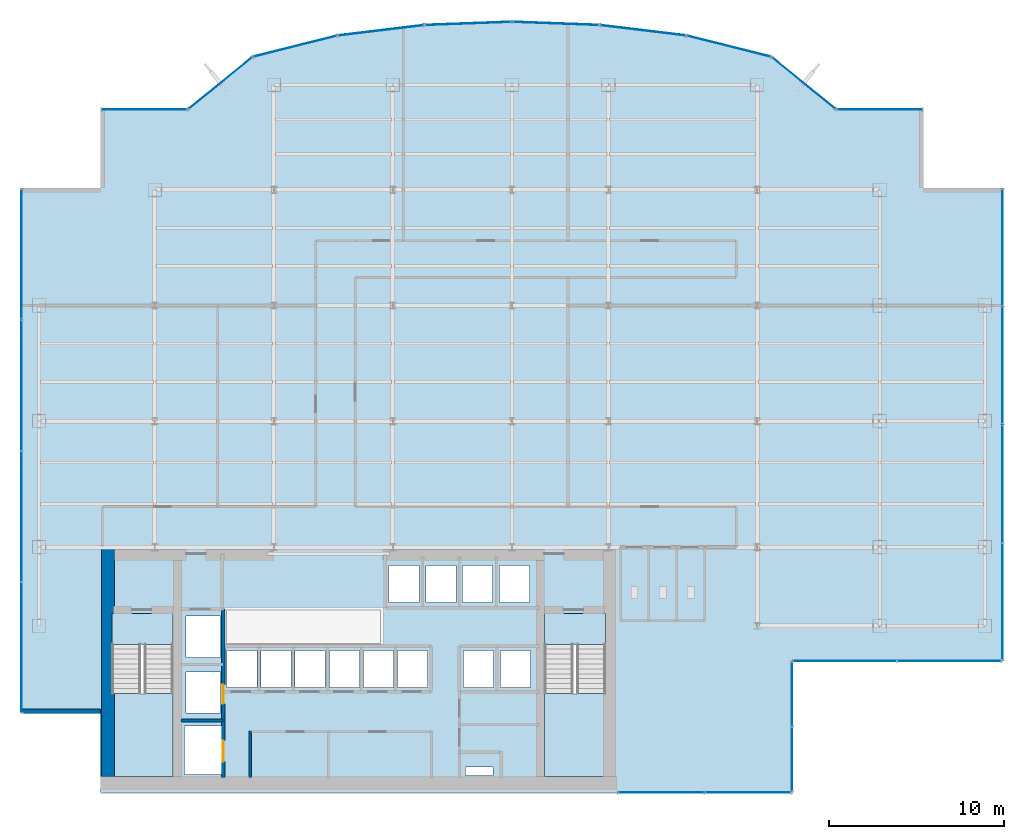
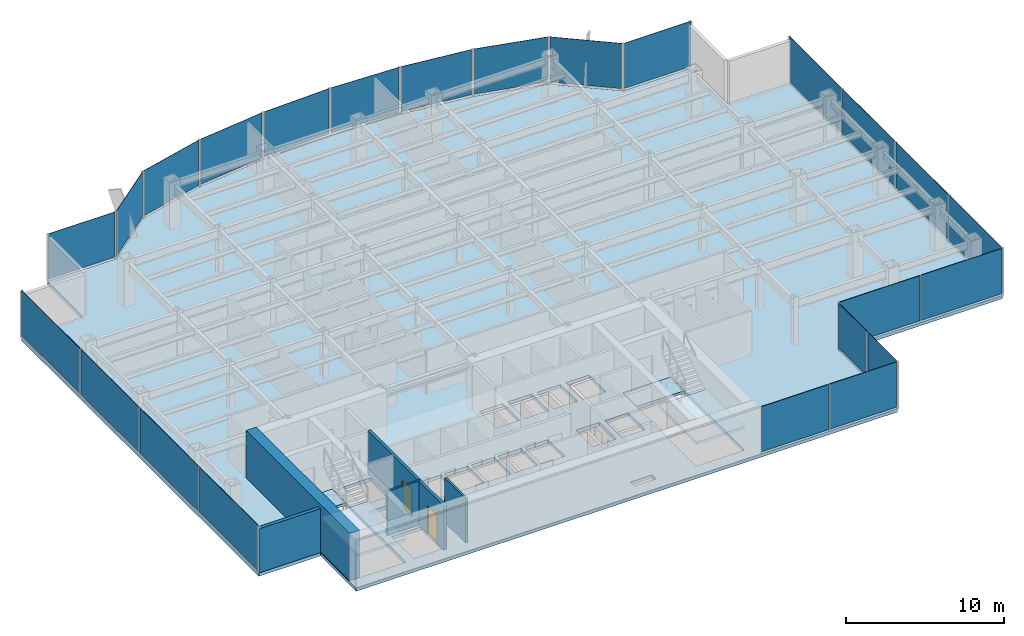
# One storey, part 20 of 26: 24 plates, 5 slabs, 5 walls, 2 doors, 2 openings, 17 elements without a shape of their own.
"""IFC4 building model written with IfcOpenShell, lengths in metres."""

from ifc_helpers import new_model, si_unit, derived_unit, direction, frame, frame_2d, origin, origin_2d, place, context, subcontext, project, spatial, polyline, rectangle, outline, extrude, source, transform, mapped, material, layer, layer_set, type_object, element, fill, aggregate, save


model = new_model("IFC4")

# Units and contexts
model_context = context("Model", 3, precision=1e-05, world=origin(), true_north=direction((0.0, 1.0)))
body_context = subcontext(model_context, "Body", "Model", "MODEL_VIEW")
ifc_project = project(units=[si_unit("LENGTHUNIT", "METRE"), si_unit("AREAUNIT", "SQUARE_METRE"), si_unit("VOLUMEUNIT", "CUBIC_METRE"), si_unit("PLANEANGLEUNIT", "RADIAN"), si_unit("MASSUNIT", "GRAM", prefix="KILO"), derived_unit("THERMALTRANSMITTANCEUNIT", [(si_unit("POWERUNIT", "WATT"), 1), (si_unit("LENGTHUNIT", "METRE"), -2), (si_unit("THERMODYNAMICTEMPERATUREUNIT", "KELVIN"), -1)])], contexts=[model_context])

# Site, building, storey
site_placement = place(None, origin())
site = spatial("IfcSite", under=ifc_project, at=site_placement, CompositionType="ELEMENT")
building_placement = place(site_placement, origin())
building = spatial("IfcBuilding", under=site, at=building_placement, Name="Skarnbrae Concourse Arena and Tower", CompositionType="ELEMENT")
storey_placement = place(building_placement, frame((0.0, 0.0, 110.550048828125)))
storey = spatial("IfcBuildingStorey", under=building, at=storey_placement, Name="L27", CompositionType="ELEMENT", Elevation=110.550048828125)

# Stair, slab
ifc_material_1 = material(Name="Concrete 40 MPa (C40/50)", Category="concrete")
stair_type = type_object("IfcStairType", Name="STAIR-DOGLEG-1650", PredefinedType="HALF_TURN_STAIR", material=ifc_material_1)
stair_1_placement = place(storey_placement, origin())
stair_1 = element("IfcStair", 1, at=stair_1_placement, inside=storey, type_object=stair_type, Name="L27 Protected Exit Stair ST-1", PredefinedType="HALF_TURN_STAIR")
ifc_layer_1 = layer(ifc_material_1, 0.199951171875)
ifc_layer_set_1 = layer_set([ifc_layer_1], Name="Concrete 40 MPa (C40/50)")
slab_type_1 = type_object("IfcSlabType", Name="SLAB-LANDING-200", PredefinedType="LANDING", material=ifc_layer_set_1)
slab_1_placement = place(storey_placement, frame((0.0, 0.0, 1.625)))
slab_1 = element("IfcSlab", 2, at=slab_1_placement, type_object=slab_type_1, Name="ST-1 landing 1", PredefinedType="LANDING", context=body_context, shape_type="SweptSolid", body=[
    extrude(outline(polyline([(5.14990234375, 5.64990234375), (5.14990234375, 0.89990234375), (8.64990234375, 0.89990234375), (8.64990234375, 5.64990234375), (5.14990234375, 5.64990234375)])), origin(), (0.0, 0.0, 1.0), 0.199951171875),
])
aggregate(stair_1, [slab_1])

stair_2_placement = place(storey_placement, origin())
stair_2 = element("IfcStair", 3, at=stair_2_placement, inside=storey, type_object=stair_type, Name="L27 Protected Exit Stair ST-2", PredefinedType="HALF_TURN_STAIR")
slab_2_placement = place(storey_placement, frame((0.0, 0.0, 1.625)))
slab_2 = element("IfcSlab", 4, at=slab_2_placement, type_object=slab_type_1, Name="ST-2 landing 1", PredefinedType="LANDING", context=body_context, shape_type="SweptSolid", body=[
    extrude(outline(polyline([(29.85009765625, 5.64990234375), (29.85009765625, 0.89990234375), (33.35009765625, 0.89990234375), (33.35009765625, 5.64990234375), (29.85009765625, 5.64990234375)])), origin(), (0.0, 0.0, 1.0), 0.199951171875),
])
aggregate(stair_2, [slab_2])

# Slabs
slab_3_placement = place(storey_placement, frame((0.0, 0.0, -0.199951171875)))
element("IfcSlab", 5, at=slab_3_placement, inside=storey, type_object=slab_type_1, Name="L27 Core stair ST1 floor landing", PredefinedType="LANDING", context=body_context, shape_type="SweptSolid", body=[
    extrude(outline(polyline([(5.14990234375, 10.199951171875), (5.14990234375, 8.449951171875), (8.64990234375, 8.449951171875), (8.64990234375, 10.199951171875), (5.14990234375, 10.199951171875)])), origin(), (0.0, 0.0, 1.0), 0.199951171875),
])
slab_4_placement = place(storey_placement, frame((0.0, 0.0, -0.199951171875)))
element("IfcSlab", 6, at=slab_4_placement, inside=storey, type_object=slab_type_1, Name="L27 Core stair ST2 floor landing", PredefinedType="LANDING", context=body_context, shape_type="SweptSolid", body=[
    extrude(outline(polyline([(29.85009765625, 10.199951171875), (29.85009765625, 8.449951171875), (33.35009765625, 8.449951171875), (33.35009765625, 10.199951171875), (29.85009765625, 10.199951171875)])), origin(), (0.0, 0.0, 1.0), 0.199951171875),
])
ifc_layer_2 = layer(ifc_material_1, 0.25)
ifc_layer_set_2 = layer_set([ifc_layer_2], Name="Concrete 40 MPa (C40/50)")
slab_type_2 = type_object("IfcSlabType", Name="SLAB-TOWER-250", PredefinedType="FLOOR", material=ifc_layer_set_2)
slab_5_placement = place(storey_placement, frame((0.0, 0.0, -0.25)))
element("IfcSlab", 7, at=slab_5_placement, inside=storey, type_object=slab_type_2, Name="L27 Structural floor slab", PredefinedType="FLOOR", context=body_context, shape_type="SweptSolid", body=[
    extrude(outline(polyline([(4.5, 0.0), (44.0, 0.0), (44.0, 7.5), (56.0, 7.5), (56.0, 34.5), (51.5, 34.5), (51.5, 39.0), (46.5, 39.0), (42.81103515625, 41.99609375), (37.964111328125, 43.212890625), (32.998779296875, 43.81396484375), (28.0, 44.0), (23.001220703125, 43.81396484375), (18.035888671875, 43.212890625), (13.18896484375, 41.99609375), (9.5, 39.0), (4.5, 39.0), (4.5, 34.5), (0.0, 34.5), (0.0, 4.5), (4.5, 4.5), (4.5, 0.0)]), holes=[polyline([(9.294921875, 3.780029296875), (11.455078125, 3.780029296875), (11.455078125, 1.02001953125), (9.294921875, 1.02001953125), (9.294921875, 3.780029296875)]), polyline([(8.64990234375, 10.199951171875), (8.64990234375, 0.89990234375), (5.14990234375, 0.89990234375), (5.14990234375, 10.199951171875), (8.64990234375, 10.199951171875)]), polyline([(9.39501953125, 6.8798828125), (11.35498046875, 6.8798828125), (11.35498046875, 4.52001953125), (9.39501953125, 4.52001953125), (9.39501953125, 6.8798828125)]), polyline([(11.719970703125, 8.10498046875), (13.429931640625, 8.10498046875), (13.429931640625, 5.9951171875), (11.719970703125, 5.9951171875), (11.719970703125, 8.10498046875)]), polyline([(13.669921875, 8.10498046875), (15.3798828125, 8.10498046875), (15.3798828125, 5.9951171875), (13.669921875, 5.9951171875), (13.669921875, 8.10498046875)]), polyline([(15.6201171875, 8.10498046875), (17.330078125, 8.10498046875), (17.330078125, 5.9951171875), (15.6201171875, 5.9951171875), (15.6201171875, 8.10498046875)]), polyline([(17.570068359375, 8.10498046875), (19.280029296875, 8.10498046875), (19.280029296875, 5.9951171875), (17.570068359375, 5.9951171875), (17.570068359375, 8.10498046875)]), polyline([(21.22998046875, 8.10498046875), (21.22998046875, 5.9951171875), (19.52001953125, 5.9951171875), (19.52001953125, 8.10498046875), (21.22998046875, 8.10498046875)]), polyline([(11.35498046875, 10.054931640625), (11.35498046875, 7.695068359375), (9.39501953125, 7.695068359375), (9.39501953125, 10.054931640625), (11.35498046875, 10.054931640625)]), polyline([(25.35009765625, 1.449951171875), (26.919921875, 1.449951171875), (26.919921875, 0.949951171875), (25.35009765625, 0.949951171875), (25.35009765625, 1.449951171875)]), polyline([(33.35009765625, 10.199951171875), (33.35009765625, 0.89990234375), (29.85009765625, 0.89990234375), (29.85009765625, 10.199951171875), (33.35009765625, 10.199951171875)]), polyline([(21.469970703125, 8.10498046875), (23.179931640625, 8.10498046875), (23.179931640625, 5.9951171875), (21.469970703125, 5.9951171875), (21.469970703125, 8.10498046875)]), polyline([(25.235107421875, 8.10498046875), (26.945068359375, 8.10498046875), (26.945068359375, 5.9951171875), (25.235107421875, 5.9951171875), (25.235107421875, 8.10498046875)]), polyline([(27.3349609375, 8.10498046875), (29.044921875, 8.10498046875), (29.044921875, 5.9951171875), (27.3349609375, 5.9951171875), (27.3349609375, 8.10498046875)]), polyline([(20.985107421875, 12.955078125), (22.695068359375, 12.955078125), (22.695068359375, 10.844970703125), (20.985107421875, 10.844970703125), (20.985107421875, 12.955078125)]), polyline([(23.0849609375, 12.955078125), (24.794921875, 12.955078125), (24.794921875, 10.844970703125), (23.0849609375, 10.844970703125), (23.0849609375, 12.955078125)]), polyline([(26.89501953125, 12.955078125), (26.89501953125, 10.844970703125), (25.18505859375, 10.844970703125), (25.18505859375, 12.955078125), (26.89501953125, 12.955078125)]), polyline([(28.9951171875, 12.955078125), (28.9951171875, 10.844970703125), (27.284912109375, 10.844970703125), (27.284912109375, 12.955078125), (28.9951171875, 12.955078125)])]), origin(), (0.0, 0.0, 1.0), 0.25),
])

# Curtain wall, plates
ifc_material_2 = material(Name="Bronze anodised aluminium 6063-T6", Category="aluminium")
curtain_wall_type_1 = type_object("IfcCurtainWallType", Name="CW-SYS-04-MIDZONE", PredefinedType="USERDEFINED", material=ifc_material_2)
curtain_wall_1_placement = place(storey_placement, origin())
curtain_wall_1 = element("IfcCurtainWall", 8, at=curtain_wall_1_placement, inside=storey, type_object=curtain_wall_type_1, Name="L27 Unitised curtain wall CW-L27-SE-SPINE", ObjectType="UNITISED CURTAIN WALL", PredefinedType="USERDEFINED")
ifc_material_3 = material(Name="Low-E triple insulating glass", Category="glass")
ifc_layer_3 = layer(ifc_material_3, 0.031982421875)
ifc_layer_set_3 = layer_set([ifc_layer_3], Name="Low-E triple insulating glass")
plate_type_1 = type_object("IfcPlateType", Name="CWP-CW-04", PredefinedType="CURTAIN_PANEL", material=ifc_layer_set_3)
shared_shape_1 = source(origin(), body_context, "Body", "SweptSolid", [
    extrude(rectangle(XDim=4.887451171875, YDim=0.031982421875, at=origin_2d()), origin(), (0.0, 0.0, 1.0), 3.489990234375),
])
plate_1_placement = place(storey_placement, frame((36.518798828125, 0.0, 0.16015625), z_axis=(0.0, 0.0, 1.0), x_axis=(1.0, 0.0, 0.0)))
plate_1 = element("IfcPlate", 9, at=plate_1_placement, type_object=plate_type_1, Name="CW-L27-SE-SPINE Low-E Glazing Panel 1", PredefinedType="CURTAIN_PANEL", context=body_context, shape_type="MappedRepresentation", body=[
    mapped(shared_shape_1, transform((0.0, 0.0, 0.0))),
])
plate_2_placement = place(storey_placement, frame((41.481201171875, 0.0, 0.16015625), z_axis=(0.0, 0.0, 1.0), x_axis=(1.0, 0.0, 0.0)))
plate_2 = element("IfcPlate", 10, at=plate_2_placement, type_object=plate_type_1, Name="CW-L27-SE-SPINE Low-E Glazing Panel 2", PredefinedType="CURTAIN_PANEL", context=body_context, shape_type="MappedRepresentation", body=[
    mapped(shared_shape_1, transform((0.0, 0.0, 0.0))),
])
aggregate(curtain_wall_1, [plate_1, plate_2])

curtain_wall_2_placement = place(storey_placement, origin())
curtain_wall_2 = element("IfcCurtainWall", 11, at=curtain_wall_2_placement, inside=storey, type_object=curtain_wall_type_1, Name="L27 Unitised curtain wall CW-L27-E02", ObjectType="UNITISED CURTAIN WALL", PredefinedType="USERDEFINED")
shared_shape_2 = source(origin(), body_context, "Body", "SweptSolid", [
    extrude(rectangle(XDim=3.637451171875, YDim=0.031982421875, at=origin_2d()), origin(), (0.0, 0.0, 1.0), 3.489990234375),
])
plate_3_placement = place(storey_placement, frame((44.0, 1.893798828125, 0.16015625), z_axis=(0.0, 0.0, 1.0), x_axis=(0.0, 1.0, 0.0)))
plate_3 = element("IfcPlate", 12, at=plate_3_placement, type_object=plate_type_1, Name="CW-L27-E02 Low-E Glazing Panel 1", PredefinedType="CURTAIN_PANEL", context=body_context, shape_type="MappedRepresentation", body=[
    mapped(shared_shape_2, transform((0.0, 0.0, 0.0))),
])
plate_4_placement = place(storey_placement, frame((44.0, 5.606201171875, 0.16015625), z_axis=(0.0, 0.0, 1.0), x_axis=(0.0, 1.0, 0.0)))
plate_4 = element("IfcPlate", 13, at=plate_4_placement, type_object=plate_type_1, Name="CW-L27-E02 Low-E Glazing Panel 2", PredefinedType="CURTAIN_PANEL", context=body_context, shape_type="MappedRepresentation", body=[
    mapped(shared_shape_2, transform((0.0, 0.0, 0.0))),
])
aggregate(curtain_wall_2, [plate_3, plate_4])

curtain_wall_3_placement = place(storey_placement, origin())
curtain_wall_3 = element("IfcCurtainWall", 14, at=curtain_wall_3_placement, inside=storey, type_object=curtain_wall_type_1, Name="L27 Unitised curtain wall CW-L27-E03", ObjectType="UNITISED CURTAIN WALL", PredefinedType="USERDEFINED")
shared_shape_3 = source(origin(), body_context, "Body", "SweptSolid", [
    extrude(rectangle(XDim=5.887451171875, YDim=0.031982421875, at=origin_2d()), origin(), (0.0, 0.0, 1.0), 3.489990234375),
])
plate_5_placement = place(storey_placement, frame((47.018798828125, 7.5, 0.16015625), z_axis=(0.0, 0.0, 1.0), x_axis=(1.0, 0.0, 0.0)))
plate_5 = element("IfcPlate", 15, at=plate_5_placement, type_object=plate_type_1, Name="CW-L27-E03 Low-E Glazing Panel 1", PredefinedType="CURTAIN_PANEL", context=body_context, shape_type="MappedRepresentation", body=[
    mapped(shared_shape_3, transform((0.0, 0.0, 0.0))),
])
plate_6_placement = place(storey_placement, frame((52.981201171875, 7.5, 0.16015625), z_axis=(0.0, 0.0, 1.0), x_axis=(1.0, 0.0, 0.0)))
plate_6 = element("IfcPlate", 16, at=plate_6_placement, type_object=plate_type_1, Name="CW-L27-E03 Low-E Glazing Panel 2", PredefinedType="CURTAIN_PANEL", context=body_context, shape_type="MappedRepresentation", body=[
    mapped(shared_shape_3, transform((0.0, 0.0, 0.0))),
])
aggregate(curtain_wall_3, [plate_5, plate_6])

# Curtain wall, plate
curtain_wall_4_placement = place(storey_placement, origin())
curtain_wall_4 = element("IfcCurtainWall", 17, at=curtain_wall_4_placement, inside=storey, type_object=curtain_wall_type_1, Name="L27 Unitised curtain wall CW-L27-E07", ObjectType="UNITISED CURTAIN WALL", PredefinedType="USERDEFINED")
shared_shape_4 = source(origin(), body_context, "Body", "SweptSolid", [
    extrude(rectangle(XDim=4.85009765625, YDim=0.031982421875, at=origin_2d()), origin(), (0.0, 0.0, 1.0), 3.489990234375),
])
plate_7_placement = place(storey_placement, frame((49.0, 39.0, 0.16015625), z_axis=(0.0, 0.0, 1.0), x_axis=(-1.0, 0.0, 0.0)))
plate_7 = element("IfcPlate", 18, at=plate_7_placement, type_object=plate_type_1, Name="CW-L27-E07 Low-E Glazing Panel 1", PredefinedType="CURTAIN_PANEL", context=body_context, shape_type="MappedRepresentation", body=[
    mapped(shared_shape_4, transform((0.0, 0.0, 0.0))),
])
aggregate(curtain_wall_4, [plate_7])

curtain_wall_5_placement = place(storey_placement, origin())
curtain_wall_5 = element("IfcCurtainWall", 19, at=curtain_wall_5_placement, inside=storey, type_object=curtain_wall_type_1, Name="L27 Unitised curtain wall CW-L27-E16", ObjectType="UNITISED CURTAIN WALL", PredefinedType="USERDEFINED")
plate_8_placement = place(storey_placement, frame((7.0, 39.0, 0.16015625), z_axis=(0.0, 0.0, 1.0), x_axis=(-1.0, 0.0, 0.0)))
plate_8 = element("IfcPlate", 20, at=plate_8_placement, type_object=plate_type_1, Name="CW-L27-E16 Low-E Glazing Panel 1", PredefinedType="CURTAIN_PANEL", context=body_context, shape_type="MappedRepresentation", body=[
    mapped(shared_shape_4, transform((0.0, 0.0, 0.0))),
])
aggregate(curtain_wall_5, [plate_8])

curtain_wall_6_placement = place(storey_placement, origin())
curtain_wall_6 = element("IfcCurtainWall", 21, at=curtain_wall_6_placement, inside=storey, type_object=curtain_wall_type_1, Name="L27 Unitised curtain wall CW-L27-E08", ObjectType="UNITISED CURTAIN WALL", PredefinedType="USERDEFINED")
shared_shape_5 = source(origin(), body_context, "Body", "SweptSolid", [
    extrude(rectangle(XDim=4.602294921875, YDim=0.031982421875, at=origin_2d()), origin(), (0.0, 0.0, 1.0), 3.489990234375),
])
plate_9_placement = place(storey_placement, frame((44.655517578125, 40.498046875, 0.16015625), z_axis=(0.0, 0.0, 1.0), x_axis=(-0.776241200471, 0.630436038542, 0.0)))
plate_9 = element("IfcPlate", 22, at=plate_9_placement, type_object=plate_type_1, Name="CW-L27-E08 Low-E Glazing Panel 1", PredefinedType="CURTAIN_PANEL", context=body_context, shape_type="MappedRepresentation", body=[
    mapped(shared_shape_5, transform((0.0, 0.0, 0.0))),
])
aggregate(curtain_wall_6, [plate_9])

curtain_wall_7_placement = place(storey_placement, origin())
curtain_wall_7 = element("IfcCurtainWall", 23, at=curtain_wall_7_placement, inside=storey, type_object=curtain_wall_type_1, Name="L27 Unitised curtain wall CW-L27-E15", ObjectType="UNITISED CURTAIN WALL", PredefinedType="USERDEFINED")
plate_10_placement = place(storey_placement, frame((11.344482421875, 40.498046875, 0.16015625), z_axis=(0.0, 0.0, 1.0), x_axis=(-0.776241200471, -0.630436038542, 0.0)))
plate_10 = element("IfcPlate", 24, at=plate_10_placement, type_object=plate_type_1, Name="CW-L27-E15 Low-E Glazing Panel 1", PredefinedType="CURTAIN_PANEL", context=body_context, shape_type="MappedRepresentation", body=[
    mapped(shared_shape_5, transform((0.0, 0.0, 0.0))),
])
aggregate(curtain_wall_7, [plate_10])

# Curtain wall, plates
curtain_wall_8_placement = place(storey_placement, origin())
curtain_wall_8 = element("IfcCurtainWall", 25, at=curtain_wall_8_placement, inside=storey, type_object=curtain_wall_type_1, Name="L27 Unitised curtain wall CW-L27-E19", ObjectType="UNITISED CURTAIN WALL", PredefinedType="USERDEFINED")
shared_shape_6 = source(origin(), body_context, "Body", "SweptSolid", [
    extrude(rectangle(XDim=7.387451171875, YDim=0.031982421875, at=origin_2d()), origin(), (0.0, 0.0, 1.0), 3.489990234375),
])
plate_11_placement = place(storey_placement, frame((0.0, 30.731201171875, 0.16015625), z_axis=(0.0, 0.0, 1.0), x_axis=(0.0, -1.0, 0.0)))
plate_11 = element("IfcPlate", 26, at=plate_11_placement, type_object=plate_type_1, Name="CW-L27-E19 Low-E Glazing Panel 1", PredefinedType="CURTAIN_PANEL", context=body_context, shape_type="MappedRepresentation", body=[
    mapped(shared_shape_6, transform((0.0, 0.0, 0.0))),
])
plate_12_placement = place(storey_placement, frame((0.0, 8.268798828125, 0.16015625), z_axis=(0.0, 0.0, 1.0), x_axis=(0.0, -1.0, 0.0)))
plate_12 = element("IfcPlate", 27, at=plate_12_placement, type_object=plate_type_1, Name="CW-L27-E19 Low-E Glazing Panel 4", PredefinedType="CURTAIN_PANEL", context=body_context, shape_type="MappedRepresentation", body=[
    mapped(shared_shape_6, transform((0.0, 0.0, 0.0))),
])
shared_shape_7 = source(origin(), body_context, "Body", "SweptSolid", [
    extrude(rectangle(XDim=7.425048828125, YDim=0.031982421875, at=origin_2d()), origin(), (0.0, 0.0, 1.0), 3.489990234375),
])
plate_13_placement = place(storey_placement, frame((0.0, 23.25, 0.16015625), z_axis=(0.0, 0.0, 1.0), x_axis=(0.0, -1.0, 0.0)))
plate_13 = element("IfcPlate", 28, at=plate_13_placement, type_object=plate_type_1, Name="CW-L27-E19 Low-E Glazing Panel 2", PredefinedType="CURTAIN_PANEL", context=body_context, shape_type="MappedRepresentation", body=[
    mapped(shared_shape_7, transform((0.0, 0.0, 0.0))),
])
plate_14_placement = place(storey_placement, frame((0.0, 15.75, 0.16015625), z_axis=(0.0, 0.0, 1.0), x_axis=(0.0, -1.0, 0.0)))
plate_14 = element("IfcPlate", 29, at=plate_14_placement, type_object=plate_type_1, Name="CW-L27-E19 Low-E Glazing Panel 3", PredefinedType="CURTAIN_PANEL", context=body_context, shape_type="MappedRepresentation", body=[
    mapped(shared_shape_7, transform((0.0, 0.0, 0.0))),
])
aggregate(curtain_wall_8, [plate_11, plate_13, plate_14, plate_12])

curtain_wall_9_placement = place(storey_placement, origin())
curtain_wall_9 = element("IfcCurtainWall", 30, at=curtain_wall_9_placement, inside=storey, type_object=curtain_wall_type_1, Name="L27 Unitised curtain wall CW-L27-E04", ObjectType="UNITISED CURTAIN WALL", PredefinedType="USERDEFINED")
shared_shape_8 = source(origin(), body_context, "Body", "SweptSolid", [
    extrude(rectangle(XDim=6.637451171875, YDim=0.031982421875, at=origin_2d()), origin(), (0.0, 0.0, 1.0), 3.489990234375),
])
plate_15_placement = place(storey_placement, frame((56.0, 10.893798828125, 0.16015625), z_axis=(0.0, 0.0, 1.0), x_axis=(0.0, 1.0, 0.0)))
plate_15 = element("IfcPlate", 31, at=plate_15_placement, type_object=plate_type_1, Name="CW-L27-E04 Low-E Glazing Panel 1", PredefinedType="CURTAIN_PANEL", context=body_context, shape_type="MappedRepresentation", body=[
    mapped(shared_shape_8, transform((0.0, 0.0, 0.0))),
])
plate_16_placement = place(storey_placement, frame((56.0, 31.106201171875, 0.16015625), z_axis=(0.0, 0.0, 1.0), x_axis=(0.0, 1.0, 0.0)))
plate_16 = element("IfcPlate", 32, at=plate_16_placement, type_object=plate_type_1, Name="CW-L27-E04 Low-E Glazing Panel 4", PredefinedType="CURTAIN_PANEL", context=body_context, shape_type="MappedRepresentation", body=[
    mapped(shared_shape_8, transform((0.0, 0.0, 0.0))),
])
shared_shape_9 = source(origin(), body_context, "Body", "SweptSolid", [
    extrude(rectangle(XDim=6.675048828125, YDim=0.031982421875, at=origin_2d()), origin(), (0.0, 0.0, 1.0), 3.489990234375),
])
plate_17_placement = place(storey_placement, frame((56.0, 17.625, 0.16015625), z_axis=(0.0, 0.0, 1.0), x_axis=(0.0, 1.0, 0.0)))
plate_17 = element("IfcPlate", 33, at=plate_17_placement, type_object=plate_type_1, Name="CW-L27-E04 Low-E Glazing Panel 2", PredefinedType="CURTAIN_PANEL", context=body_context, shape_type="MappedRepresentation", body=[
    mapped(shared_shape_9, transform((0.0, 0.0, 0.0))),
])
plate_18_placement = place(storey_placement, frame((56.0, 24.375, 0.16015625), z_axis=(0.0, 0.0, 1.0), x_axis=(0.0, 1.0, 0.0)))
plate_18 = element("IfcPlate", 34, at=plate_18_placement, type_object=plate_type_1, Name="CW-L27-E04 Low-E Glazing Panel 3", PredefinedType="CURTAIN_PANEL", context=body_context, shape_type="MappedRepresentation", body=[
    mapped(shared_shape_9, transform((0.0, 0.0, 0.0))),
])
aggregate(curtain_wall_9, [plate_15, plate_17, plate_18, plate_16])

# Curtain wall, plate
curtain_wall_type_2 = type_object("IfcCurtainWallType", Name="CW-SYS-03-PORTAL", PredefinedType="USERDEFINED", material=ifc_material_2)
curtain_wall_10_placement = place(storey_placement, origin())
curtain_wall_10 = element("IfcCurtainWall", 35, at=curtain_wall_10_placement, inside=storey, type_object=curtain_wall_type_2, Name="L27 Unitised curtain wall CW-L27-E09", ObjectType="UNITISED CURTAIN WALL", PredefinedType="USERDEFINED")
ifc_layer_4 = layer(ifc_material_3, 0.033935546875)
ifc_layer_set_4 = layer_set([ifc_layer_4], Name="Low-E triple insulating glass")
plate_type_2 = type_object("IfcPlateType", Name="CWP-CW-03", PredefinedType="CURTAIN_PANEL", material=ifc_layer_set_4)
shared_shape_10 = source(origin(), body_context, "Body", "SweptSolid", [
    extrude(rectangle(XDim=4.83740234375, YDim=0.033935546875, at=origin_2d()), origin(), (0.0, 0.0, 1.0), 3.47998046875),
])
plate_19_placement = place(storey_placement, frame((40.3876953125, 42.6044921875, 0.169921875), z_axis=(0.0, 0.0, 1.0), x_axis=(-0.969903046166, 0.243491439351, 0.0)))
plate_19 = element("IfcPlate", 36, at=plate_19_placement, type_object=plate_type_2, Name="CW-L27-E09 Low-E Glazing Panel 1", PredefinedType="CURTAIN_PANEL", context=body_context, shape_type="MappedRepresentation", body=[
    mapped(shared_shape_10, transform((0.0, 0.0, 0.0))),
])
aggregate(curtain_wall_10, [plate_19])

curtain_wall_11_placement = place(storey_placement, origin())
curtain_wall_11 = element("IfcCurtainWall", 37, at=curtain_wall_11_placement, inside=storey, type_object=curtain_wall_type_2, Name="L27 Unitised curtain wall CW-L27-E14", ObjectType="UNITISED CURTAIN WALL", PredefinedType="USERDEFINED")
plate_20_placement = place(storey_placement, frame((15.6123046875, 42.6044921875, 0.169921875), z_axis=(0.0, 0.0, 1.0), x_axis=(-0.969903046166, -0.243491439351, 0.0)))
plate_20 = element("IfcPlate", 38, at=plate_20_placement, type_object=plate_type_2, Name="CW-L27-E14 Low-E Glazing Panel 1", PredefinedType="CURTAIN_PANEL", context=body_context, shape_type="MappedRepresentation", body=[
    mapped(shared_shape_10, transform((0.0, 0.0, 0.0))),
])
aggregate(curtain_wall_11, [plate_20])

curtain_wall_12_placement = place(storey_placement, origin())
curtain_wall_12 = element("IfcCurtainWall", 39, at=curtain_wall_12_placement, inside=storey, type_object=curtain_wall_type_2, Name="L27 Unitised curtain wall CW-L27-E10", ObjectType="UNITISED CURTAIN WALL", PredefinedType="USERDEFINED")
shared_shape_11 = source(origin(), body_context, "Body", "SweptSolid", [
    extrude(rectangle(XDim=4.841552734375, YDim=0.033935546875, at=origin_2d()), origin(), (0.0, 0.0, 1.0), 3.47998046875),
])
plate_21_placement = place(storey_placement, frame((35.4814453125, 43.513427734375, 0.169921875), z_axis=(0.0, 0.0, 1.0), x_axis=(-0.992749371969, 0.120202680731, 0.0)))
plate_21 = element("IfcPlate", 40, at=plate_21_placement, type_object=plate_type_2, Name="CW-L27-E10 Low-E Glazing Panel 1", PredefinedType="CURTAIN_PANEL", context=body_context, shape_type="MappedRepresentation", body=[
    mapped(shared_shape_11, transform((0.0, 0.0, 0.0))),
])
aggregate(curtain_wall_12, [plate_21])

curtain_wall_13_placement = place(storey_placement, origin())
curtain_wall_13 = element("IfcCurtainWall", 41, at=curtain_wall_13_placement, inside=storey, type_object=curtain_wall_type_2, Name="L27 Unitised curtain wall CW-L27-E13", ObjectType="UNITISED CURTAIN WALL", PredefinedType="USERDEFINED")
plate_22_placement = place(storey_placement, frame((20.5185546875, 43.513427734375, 0.169921875), z_axis=(0.0, 0.0, 1.0), x_axis=(-0.992749371969, -0.120202680731, 0.0)))
plate_22 = element("IfcPlate", 42, at=plate_22_placement, type_object=plate_type_2, Name="CW-L27-E13 Low-E Glazing Panel 1", PredefinedType="CURTAIN_PANEL", context=body_context, shape_type="MappedRepresentation", body=[
    mapped(shared_shape_11, transform((0.0, 0.0, 0.0))),
])
aggregate(curtain_wall_13, [plate_22])

curtain_wall_14_placement = place(storey_placement, origin())
curtain_wall_14 = element("IfcCurtainWall", 43, at=curtain_wall_14_placement, inside=storey, type_object=curtain_wall_type_2, Name="L27 Unitised curtain wall CW-L27-E11", ObjectType="UNITISED CURTAIN WALL", PredefinedType="USERDEFINED")
shared_shape_12 = source(origin(), body_context, "Body", "SweptSolid", [
    extrude(rectangle(XDim=4.84228515625, YDim=0.033935546875, at=origin_2d()), origin(), (0.0, 0.0, 1.0), 3.47998046875),
])
plate_23_placement = place(storey_placement, frame((30.49951171875, 43.906982421875, 0.169921875), z_axis=(0.0, 0.0, 1.0), x_axis=(-0.999308486252, 0.037182647889, 0.0)))
plate_23 = element("IfcPlate", 44, at=plate_23_placement, type_object=plate_type_2, Name="CW-L27-E11 Low-E Glazing Panel 1", PredefinedType="CURTAIN_PANEL", context=body_context, shape_type="MappedRepresentation", body=[
    mapped(shared_shape_12, transform((0.0, 0.0, 0.0))),
])
aggregate(curtain_wall_14, [plate_23])

curtain_wall_15_placement = place(storey_placement, origin())
curtain_wall_15 = element("IfcCurtainWall", 45, at=curtain_wall_15_placement, inside=storey, type_object=curtain_wall_type_2, Name="L27 Unitised curtain wall CW-L27-E12", ObjectType="UNITISED CURTAIN WALL", PredefinedType="USERDEFINED")
plate_24_placement = place(storey_placement, frame((25.50048828125, 43.906982421875, 0.169921875), z_axis=(0.0, 0.0, 1.0), x_axis=(-0.999308486252, -0.037182647889, 0.0)))
plate_24 = element("IfcPlate", 46, at=plate_24_placement, type_object=plate_type_2, Name="CW-L27-E12 Low-E Glazing Panel 1", PredefinedType="CURTAIN_PANEL", context=body_context, shape_type="MappedRepresentation", body=[
    mapped(shared_shape_12, transform((0.0, 0.0, 0.0))),
])
aggregate(curtain_wall_15, [plate_24])

# Walls
ifc_material_4 = material(Name="Concrete 60 MPa (C60/75)", Category="concrete")
ifc_layer_5 = layer(ifc_material_4, 0.75)
ifc_layer_set_5 = layer_set([ifc_layer_5], Name="Concrete 60 MPa (C60/75)")
wall_type_1 = type_object("IfcWallType", Name="WALL-CORE-750-C60", PredefinedType="SHEAR", material=ifc_layer_set_5)
shared_shape_13 = source(origin(), body_context, "Body", "SweptSolid", [
    extrude(rectangle(XDim=13.10009765625, YDim=0.75, at=frame_2d((6.550048828125, 0.0))), origin(), (0.0, 0.0, 1.0), 3.64990234375),
])
wall_1_placement = place(storey_placement, frame((4.925048828125, 0.89990234375, 0.0), z_axis=(0.0, 0.0, 1.0), x_axis=(0.0, 1.0, 0.0)))
element("IfcWall", 47, at=wall_1_placement, inside=storey, type_object=wall_type_1, Name="L27 Rear core shear wall CW-W", PredefinedType="SHEAR", context=body_context, shape_type="MappedRepresentation", body=[
    mapped(shared_shape_13, transform((0.0, 0.0, 0.0))),
])
ifc_material_5 = material(Name="Precast concrete 40 MPa (C40/50)", Category="concrete")
ifc_layer_6 = layer(ifc_material_5, 0.25)
ifc_layer_set_6 = layer_set([ifc_layer_6], Name="Precast concrete 40 MPa (C40/50)")
wall_type_2 = type_object("IfcWallType", Name="WALL-EXT-SPANDREL-250", PredefinedType="STANDARD", material=ifc_layer_set_6)
shared_shape_14 = source(origin(), body_context, "Body", "SweptSolid", [
    extrude(rectangle(XDim=4.5, YDim=0.25, at=frame_2d((2.25, 0.0))), origin(), (0.0, 0.0, 1.0), 3.39990234375),
])
wall_2_placement = place(storey_placement, frame((0.0, 4.625, 0.0), z_axis=(0.0, 0.0, 1.0), x_axis=(1.0, 0.0, 0.0)))
element("IfcWall", 48, at=wall_2_placement, inside=storey, type_object=wall_type_2, Name="L27 Notched corner insulated return wall 20", PredefinedType="STANDARD", context=body_context, shape_type="MappedRepresentation", body=[
    mapped(shared_shape_14, transform((0.0, 0.0, 0.0))),
])

# Wall, openings, doors
ifc_material_6 = material(Name="Gypsum board on cold-formed steel studs", Category="steel")
ifc_layer_7 = layer(ifc_material_6, 0.199951171875)
ifc_layer_set_7 = layer_set([ifc_layer_7], Name="Gypsum board on cold-formed steel studs")
wall_type_3 = type_object("IfcWallType", Name="WALL-PART-200-2HR", PredefinedType="PARTITIONING", material=ifc_layer_set_7)
shared_shape_15 = source(origin(), body_context, "Body", "SweptSolid", [
    extrude(rectangle(XDim=9.599853515625, YDim=0.199951171875, at=frame_2d((4.7998046875, 0.0))), origin(), (0.0, 0.0, 1.0), 3.39990234375),
])
wall_3_placement = place(storey_placement, frame((11.5, 0.85009765625, 0.0), z_axis=(0.0, 0.0, 1.0), x_axis=(0.0, 1.0, 0.0)))
wall_3 = element("IfcWall", 49, at=wall_3_placement, inside=storey, type_object=wall_type_3, Name="L27 Interior partition wall W-L27-FL-E", PredefinedType="PARTITIONING", context=body_context, shape_type="MappedRepresentation", body=[
    mapped(shared_shape_15, transform((0.0, 0.0, 0.0))),
])
opening_1_placement = place(wall_3_placement, frame((4.199951171875, 0.0, 0.0)))
opening_1 = element("IfcOpeningElement", 50, at=opening_1_placement, cuts=wall_3, Name="Opening LD-01", PredefinedType="OPENING", context=body_context, shape_type="SweptSolid", body=[
    extrude(rectangle(XDim=1.10009765625, YDim=2.14990234375, at=frame_2d((0.550048828125, 1.074951171875))), frame((0.0, 0.10986328125, 0.0), z_axis=(0.0, -1.0, 0.0), x_axis=(1.0, 0.0, 0.0)), (0.0, 0.0, 1.0), 0.219970703125),
])
opening_2_placement = place(wall_3_placement, frame((0.89990234375, 0.0, 0.0)))
opening_2 = element("IfcOpeningElement", 51, at=opening_2_placement, cuts=wall_3, Name="Opening LD-02", PredefinedType="OPENING", context=body_context, shape_type="SweptSolid", body=[
    extrude(rectangle(XDim=1.199951171875, YDim=2.14990234375, at=frame_2d((0.60009765625, 1.074951171875))), frame((0.0, 0.10986328125, 0.0), z_axis=(0.0, -1.0, 0.0), x_axis=(1.0, 0.0, 0.0)), (0.0, 0.0, 1.0), 0.219970703125),
])
ifc_material_7 = material(Name="Steel CSA G40.21 350W", Category="steel")
door_type_1 = type_object("IfcDoorType", Name="DOOR-LIFT-SLIDE-1100", OperationType="SLIDING_TO_LEFT", PredefinedType="DOOR", material=ifc_material_7)
shared_shape_16 = source(origin(), body_context, "Body", "SweptSolid", [
    extrude(rectangle(XDim=1.10009765625, YDim=2.14990234375, at=frame_2d((0.550048828125, 1.074951171875))), frame((0.0, 0.02490234375, 0.0), z_axis=(0.0, -1.0, 0.0), x_axis=(1.0, 0.0, 0.0)), (0.0, 0.0, 1.0), 0.050048828125),
])
door_1_placement = place(opening_1_placement, frame((1.10009765625, 0.0, 0.0), z_axis=(0.0, 0.0, 1.0), x_axis=(-1.0, 0.0, 0.0)))
door_1 = element("IfcDoor", 52, at=door_1_placement, inside=storey, type_object=door_type_1, Name="D-0899 Firefighting Lift Landing Door FL-02", OperationType="SLIDING_TO_LEFT", OverallHeight=2.14990234375, OverallWidth=1.10009765625, PredefinedType="DOOR", context=body_context, shape_type="MappedRepresentation", body=[
    mapped(shared_shape_16, transform((0.0, 0.0, 0.0))),
])
fill(opening_1, door_1)
door_type_2 = type_object("IfcDoorType", Name="DOOR-LIFT-SLIDE-1200", OperationType="SLIDING_TO_LEFT", PredefinedType="DOOR", material=ifc_material_7)
shared_shape_17 = source(origin(), body_context, "Body", "SweptSolid", [
    extrude(rectangle(XDim=1.199951171875, YDim=2.14990234375, at=frame_2d((0.60009765625, 1.074951171875))), frame((0.0, 0.02490234375, 0.0), z_axis=(0.0, -1.0, 0.0), x_axis=(1.0, 0.0, 0.0)), (0.0, 0.0, 1.0), 0.050048828125),
])
door_2_placement = place(opening_2_placement, frame((1.199951171875, 0.0, 0.0), z_axis=(0.0, 0.0, 1.0), x_axis=(-1.0, 0.0, 0.0)))
door_2 = element("IfcDoor", 53, at=door_2_placement, inside=storey, type_object=door_type_2, Name="D-0900 Service Lift Landing Door SV-01", OperationType="SLIDING_TO_LEFT", OverallHeight=2.14990234375, OverallWidth=1.199951171875, PredefinedType="DOOR", context=body_context, shape_type="MappedRepresentation", body=[
    mapped(shared_shape_17, transform((0.0, 0.0, 0.0))),
])
fill(opening_2, door_2)

# Walls
ifc_layer_8 = layer(ifc_material_6, 0.14990234375)
ifc_layer_set_8 = layer_set([ifc_layer_8], Name="Gypsum board on cold-formed steel studs")
wall_type_4 = type_object("IfcWallType", Name="WALL-PART-150", PredefinedType="PARTITIONING", material=ifc_layer_set_8)
shared_shape_18 = source(origin(), body_context, "Body", "SweptSolid", [
    extrude(rectangle(XDim=2.39990234375, YDim=0.14990234375, at=frame_2d((1.199951171875, 0.0))), origin(), (0.0, 0.0, 1.0), 3.39990234375),
])
wall_4_placement = place(storey_placement, frame((9.10009765625, 4.10009765625, 0.0), z_axis=(0.0, 0.0, 1.0), x_axis=(1.0, 0.0, 0.0)))
element("IfcWall", 54, at=wall_4_placement, inside=storey, type_object=wall_type_4, Name="L27 Interior partition wall W-L27-FL-D1", PredefinedType="PARTITIONING", context=body_context, shape_type="MappedRepresentation", body=[
    mapped(shared_shape_18, transform((0.0, 0.0, 0.0))),
])
ifc_layer_9 = layer(ifc_material_6, 0.14990234375)
ifc_layer_set_9 = layer_set([ifc_layer_9], Name="Gypsum board on cold-formed steel studs")
wall_type_5 = type_object("IfcWallType", Name="WALL-PART-150-1HR", PredefinedType="PARTITIONING", material=ifc_layer_set_9)
shared_shape_19 = source(origin(), body_context, "Body", "SweptSolid", [
    extrude(rectangle(XDim=2.64990234375, YDim=0.14990234375, at=frame_2d((1.324951171875, 0.0))), origin(), (0.0, 0.0, 1.0), 3.39990234375),
])
wall_5_placement = place(storey_placement, frame((13.050048828125, 0.85009765625, 0.0), z_axis=(0.0, 0.0, 1.0), x_axis=(0.0, 1.0, 0.0)))
element("IfcWall", 55, at=wall_5_placement, inside=storey, type_object=wall_type_5, Name="L27 Interior partition wall W-L27-B1M-W", PredefinedType="PARTITIONING", context=body_context, shape_type="MappedRepresentation", body=[
    mapped(shared_shape_19, transform((0.0, 0.0, 0.0))),
])

save(model, "model.ifc")
